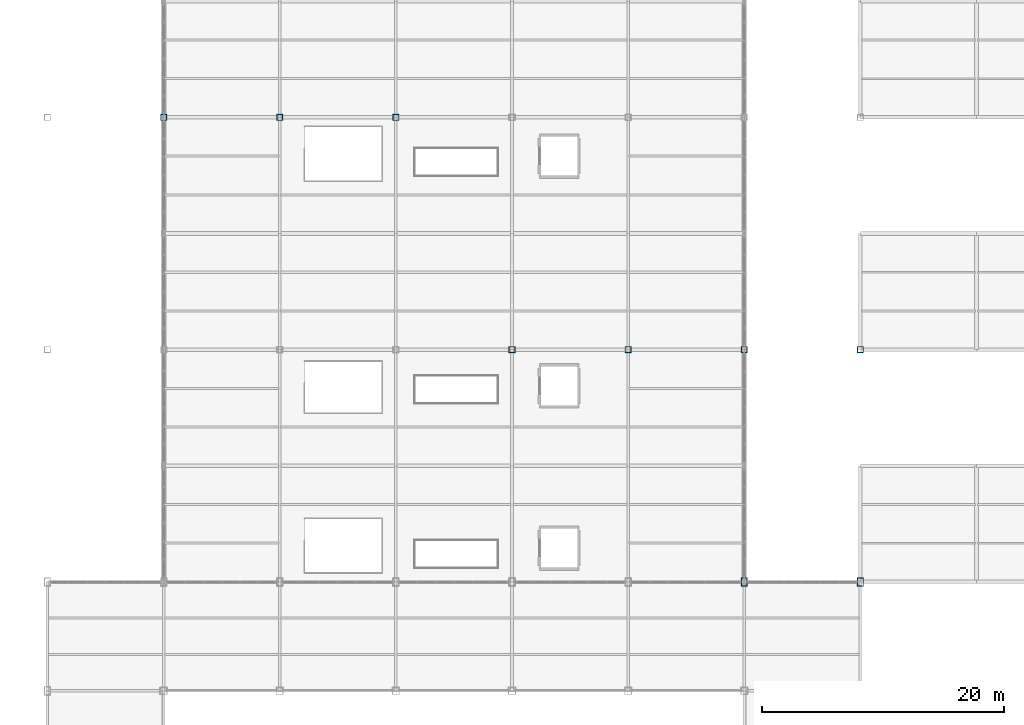
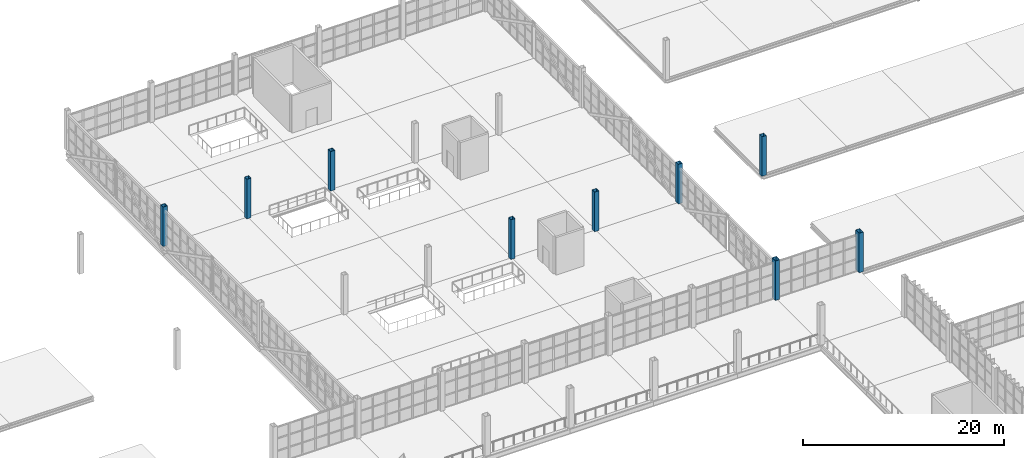
# One storey, part 10 of 120: 9 columns.
"""IFC4 building model written with IfcOpenShell, lengths in metres."""

import ifcopenshell
import ifcopenshell.guid

model = None  # the IFC model being written
_history = None  # IfcOwnerHistory: only IFC2X3 demands one
_inside = {}  # id of a spatial element -> (the spatial element, [elements in it])
_under = {}  # id of a project, library or spatial element -> (it, [spatial elements below it])
_declared = {}  # id of a project -> (the project, [libraries it declares])
_typed = {}  # id of a type object -> (the type object, [elements of that type])
_made_of = {}  # id of a material, layer set ... -> (it, [elements and type objects made of it])


def new_model(schema):
    """Start an empty IFC model of exactly this schema.

    Asked for "IFC4X3", IfcOpenShell would pick the latest addendum, in which some entities
    have other attributes; the version numbers below select the first issue.
    IFC2X3 requires an IfcOwnerHistory on every rooted entity: one is made here for all.
    """
    global model, _history
    if schema == "IFC4X3":
        model = ifcopenshell.file(schema_version=(4, 3, 0, 0))
    else:
        model = ifcopenshell.file(schema=schema)
    _inside.clear()
    _under.clear()
    _declared.clear()
    _typed.clear()
    _made_of.clear()
    _history = None
    if model.schema == "IFC2X3":
        org = make("IfcOrganization", Name="unknown")
        user = make(
            "IfcPersonAndOrganization",
            ThePerson=make("IfcPerson", FamilyName="unknown"),
            TheOrganization=org,
        )
        app = make(
            "IfcApplication",
            ApplicationDeveloper=org,
            Version="unknown",
            ApplicationFullName="unknown",
            ApplicationIdentifier="unknown",
        )
        _history = make(
            "IfcOwnerHistory",
            OwningUser=user,
            OwningApplication=app,
            ChangeAction="ADDED",
            CreationDate=0,
        )
    return model


def make(cls, **values):
    """One entity of the class cls with the attributes given. An attribute that is None is left unset."""
    return model.create_entity(
        cls, **{name: value for name, value in values.items() if value is not None}
    )


def rooted(cls, **values):
    """An entity with a GlobalId (a new one), such as an element, a storey or a relation."""
    return make(cls, GlobalId=ifcopenshell.guid.new(), OwnerHistory=_history, **values)


def si_unit(unit_type, name, prefix=None):
    """IfcSIUnit, for example si_unit("LENGTHUNIT", "METRE", prefix="MILLI")."""
    return make("IfcSIUnit", UnitType=unit_type, Prefix=prefix, Name=name)


def assignment(units):
    """IfcUnitAssignment: the units of a project."""
    return None if units is None else make("IfcUnitAssignment", Units=units)


def point(xyz):
    """IfcCartesianPoint."""
    return None if xyz is None else make("IfcCartesianPoint", Coordinates=xyz)


def direction(xyz):
    """IfcDirection."""
    return None if xyz is None else make("IfcDirection", DirectionRatios=xyz)


def frame(location, z_axis=None, x_axis=None):
    """IfcAxis2Placement3D, a coordinate frame: its origin and axes. An axis left out is left unset."""
    return make(
        "IfcAxis2Placement3D",
        Location=point(location),
        Axis=direction(z_axis),
        RefDirection=direction(x_axis),
    )


def frame_2d(location, x_axis=None):
    """IfcAxis2Placement2D, a coordinate frame in the plane: its origin and x axis."""
    return make(
        "IfcAxis2Placement2D", Location=point(location), RefDirection=direction(x_axis)
    )


def origin():
    """The frame at (0, 0, 0) with its axes left unset."""
    return frame((0.0, 0.0, 0.0))


def origin_2d():
    """The frame at (0, 0) in the plane with its x axis left unset."""
    return frame_2d((0.0, 0.0))


def place(relative_to, where):
    """IfcLocalPlacement: puts the frame where relative to a parent placement (None: the world)."""
    return make(
        "IfcLocalPlacement", PlacementRelTo=relative_to, RelativePlacement=where
    )


def context(
    kind, dimensions, precision=None, world=None, true_north=None, identifier=None
):
    """IfcGeometricRepresentationContext, for example the 3D "Model" context."""
    return make(
        "IfcGeometricRepresentationContext",
        ContextIdentifier=identifier,
        ContextType=kind,
        CoordinateSpaceDimension=dimensions,
        Precision=precision,
        WorldCoordinateSystem=world,
        TrueNorth=true_north,
    )


def subcontext(parent, identifier, kind, view, scale=None):
    """IfcGeometricRepresentationSubContext, for example "Body" below "Model"."""
    return make(
        "IfcGeometricRepresentationSubContext",
        ContextIdentifier=identifier,
        ContextType=kind,
        ParentContext=parent,
        TargetScale=scale,
        TargetView=view,
    )


def project(units=None, contexts=None):
    """IfcProject with its units and contexts."""
    return rooted(
        "IfcProject",
        Name="project",
        RepresentationContexts=contexts,
        UnitsInContext=assignment(units),
    )


def spatial(cls, under=None, at=None, **own):
    """A site, building, storey or space (cls), placed at a placement, below another one or the project."""
    s = rooted(cls, ObjectPlacement=at, **own)
    if under is not None:
        _under.setdefault(under.id(), (under, []))[1].append(s)
    return s


def profile(cls, at=None, kind="AREA", **sizes):
    """A parametric profile (cls). Its sizes go by their IFC names, for example OverallWidth=200.0."""
    return make(cls, ProfileType=kind, Position=at, **sizes)


def hollow_rectangle(**sizes):
    """IfcRectangleHollowProfileDef."""
    return profile("IfcRectangleHollowProfileDef", **sizes)


def extrude(swept, where, along, depth):
    """IfcExtrudedAreaSolid: the profile swept, set in the frame where, extruded along a direction by depth."""
    return make(
        "IfcExtrudedAreaSolid",
        SweptArea=swept,
        Position=where,
        ExtrudedDirection=direction(along),
        Depth=depth,
    )


def shape(context_of_items, identifier, shape_type, items):
    """IfcShapeRepresentation: the items that make up one representation, for example the "Body"."""
    return make(
        "IfcShapeRepresentation",
        ContextOfItems=context_of_items,
        RepresentationIdentifier=identifier,
        RepresentationType=shape_type,
        Items=items,
    )


def material(Name=None, Category=None):
    """IfcMaterial."""
    return make("IfcMaterial", Name=Name, Category=Category)


def material_profile(
    of_material, cross_section, Name=None, Category=None, Priority=None
):
    """IfcMaterialProfile: a cross section and its material."""
    return make(
        "IfcMaterialProfile",
        Name=Name,
        Material=of_material,
        Profile=cross_section,
        Priority=Priority,
        Category=Category,
    )


def profile_set(profiles, Name=None, composite=None):
    """IfcMaterialProfileSet."""
    return make(
        "IfcMaterialProfileSet",
        Name=Name,
        MaterialProfiles=profiles,
        CompositeProfile=composite,
    )


def made_of(thing, what):
    """Note that an element or type object is made of a material, layer set ...; save() writes the relation."""
    if what is not None:
        _made_of.setdefault(what.id(), (what, []))[1].append(thing)
    return thing


def type_object(cls, material=None, **own):
    """A type object (cls), such as IfcWallType, which elements share."""
    return made_of(rooted(cls, **own), material)


def element(
    cls,
    number,
    at=None,
    inside=None,
    cuts=None,
    type_object=None,
    material=None,
    context=None,
    identifier="Body",
    shape_type=None,
    held_by="IfcProductDefinitionShape",
    body=None,
    shapes=None,
    **own,
):
    """One element of the class cls, such as IfcWall. Its Tag is "e" and its number.

    at: its placement. inside: the storey or other place that contains it. cuts: it is an
    opening in that element (IfcRelVoidsElement). A single representation is given by context,
    identifier, shape_type and body (its items); several are given by shapes. held_by: the class
    of the entity that holds the representations. save() writes the other relations.
    """
    e = rooted(cls, Tag="e%d" % number, ObjectPlacement=at, **own)
    if body is not None:
        shapes = [shape(context, identifier, shape_type, body)]
    if shapes is not None:
        e.Representation = make(held_by, Representations=shapes)
    if inside is not None:
        _inside.setdefault(inside.id(), (inside, []))[1].append(e)
    if cuts is not None:
        rooted(
            "IfcRelVoidsElement", RelatingBuildingElement=cuts, RelatedOpeningElement=e
        )
    if type_object is not None:
        _typed.setdefault(type_object.id(), (type_object, []))[1].append(e)
    return made_of(e, material)


def aggregate(whole, parts):
    """IfcRelAggregates: a whole, such as a stair, and the parts it consists of."""
    return rooted("IfcRelAggregates", RelatingObject=whole, RelatedObjects=parts)


def save(model, path):
    """Write the relations noted so far, then the file.

    IfcRelAggregates (storeys below a building ...), IfcRelContainedInSpatialStructure (elements
    in a storey), IfcRelDefinesByType, IfcRelAssociatesMaterial and IfcRelDeclares: one each for
    every whole, place, type object, material and project.
    """
    for whole, parts in _under.values():
        aggregate(whole, parts)
    for where, things in _inside.values():
        rooted(
            "IfcRelContainedInSpatialStructure",
            RelatedElements=things,
            RelatingStructure=where,
        )
    for kind, things in _typed.values():
        rooted("IfcRelDefinesByType", RelatedObjects=things, RelatingType=kind)
    for what, things in _made_of.values():
        rooted("IfcRelAssociatesMaterial", RelatedObjects=things, RelatingMaterial=what)
    for by, libraries in _declared.values():
        rooted("IfcRelDeclares", RelatingContext=by, RelatedDefinitions=libraries)
    model.write(path)


model = new_model("IFC4")

# Units and contexts
model_context = context("Model", 3, precision=1e-05, world=origin(), true_north=direction((0.0, 1.0)))
body_context = subcontext(model_context, "Body", "Model", "MODEL_VIEW")
ifc_project = project(units=[si_unit("LENGTHUNIT", "METRE"), si_unit("AREAUNIT", "SQUARE_METRE"), si_unit("VOLUMEUNIT", "CUBIC_METRE"), si_unit("PLANEANGLEUNIT", "RADIAN"), si_unit("MASSUNIT", "GRAM", prefix="KILO")], contexts=[model_context])

# Site, building, storey
site_placement = place(None, origin())
site = spatial("IfcSite", under=ifc_project, at=site_placement, CompositionType="ELEMENT")
building_placement = place(site_placement, origin())
building = spatial("IfcBuilding", under=site, at=building_placement, Name="Zarnetskaya Central Station", CompositionType="ELEMENT")
storey_placement = place(building_placement, frame((0.0, 0.0, 5.39990234375)))
storey = spatial("IfcBuildingStorey", under=building, at=storey_placement, Name="L01", CompositionType="ELEMENT", Elevation=5.39990234375)

# Columns
ifc_material = material(Name="Steel S355", Category="steel")
ifc_material_profile_1 = material_profile(ifc_material, hollow_rectangle(XDim=0.5, YDim=0.5, WallThickness=0.02490234375, at=origin_2d()), Name="BOX 500x500x25")
ifc_profile_set_1 = profile_set([ifc_material_profile_1], Name="Steel S355")
column_type_1 = type_object("IfcColumnType", Name="COL-V1-SHED", PredefinedType="COLUMN", material=ifc_profile_set_1)
for number, where, z_axis, x_axis, name in (
    (1, (67.199951171875, 105.60009765625, 0.0), (0.0, 0.0, 1.0), (1.0, 0.0, 0.0), "Column H13 L01"),
    (2, (76.800048828125, 105.60009765625, 0.0), (0.0, 0.0, 1.0), (1.0, 0.0, 0.0), "Column J13 L01"),
    (3, (86.39990234375, 105.60009765625, 0.0), (0.0, 0.0, 1.0), (1.0, 0.0, 0.0), "Column K13 L01"),
    (4, (96.0, 86.39990234375, 0.0), (0.0, 0.0, 1.0), (1.0, 0.0, 0.0), "Column L11 L01"),
    (5, (105.60009765625, 86.39990234375, 0.0), (0.0, 0.0, 1.0), (1.0, 0.0, 0.0), "Column M11 L01"),
    (6, (115.199951171875, 86.39990234375, 0.0), (0.0, 0.0, 1.0), (1.0, 0.0, 0.0), "Column N11 L01"),
    (7, (124.800048828125, 86.39990234375, 0.0), (0.0, 0.0, 1.0), (1.0, 0.0, 0.0), "Column P11 L01"),
):
    element("IfcColumn", number, at=place(storey_placement, frame(where, z_axis=z_axis, x_axis=x_axis)), inside=storey, type_object=column_type_1, Name=name, PredefinedType="COLUMN", context=body_context, shape_type="SweptSolid", body=[
        extrude(hollow_rectangle(XDim=0.5, YDim=0.5, WallThickness=0.02490234375, at=origin_2d()), origin(), (0.0, 0.0, 1.0), 4.800048828125),
    ])
ifc_material_profile_2 = material_profile(ifc_material, hollow_rectangle(XDim=0.5, YDim=0.699951171875, WallThickness=0.031982421875, at=origin_2d()), Name="BOX 700x500x32")
ifc_profile_set_2 = profile_set([ifc_material_profile_2], Name="Steel S355")
column_type_2 = type_object("IfcColumnType", Name="COL-V2-HALL", PredefinedType="COLUMN", material=ifc_profile_set_2)
for number, where, z_axis, x_axis, name in (
    (8, (115.199951171875, 67.199951171875, 0.0), (0.0, 0.0, 1.0), (1.0, 0.0, 0.0), "Column N9 L01"),
    (9, (124.800048828125, 67.199951171875, 0.0), (0.0, 0.0, 1.0), (1.0, 0.0, 0.0), "Column P9 L01"),
):
    element("IfcColumn", number, at=place(storey_placement, frame(where, z_axis=z_axis, x_axis=x_axis)), inside=storey, type_object=column_type_2, Name=name, PredefinedType="COLUMN", context=body_context, shape_type="SweptSolid", body=[
        extrude(hollow_rectangle(XDim=0.5, YDim=0.699951171875, WallThickness=0.031982421875, at=origin_2d()), origin(), (0.0, 0.0, 1.0), 4.800048828125),
    ])

save(model, "model.ifc")
